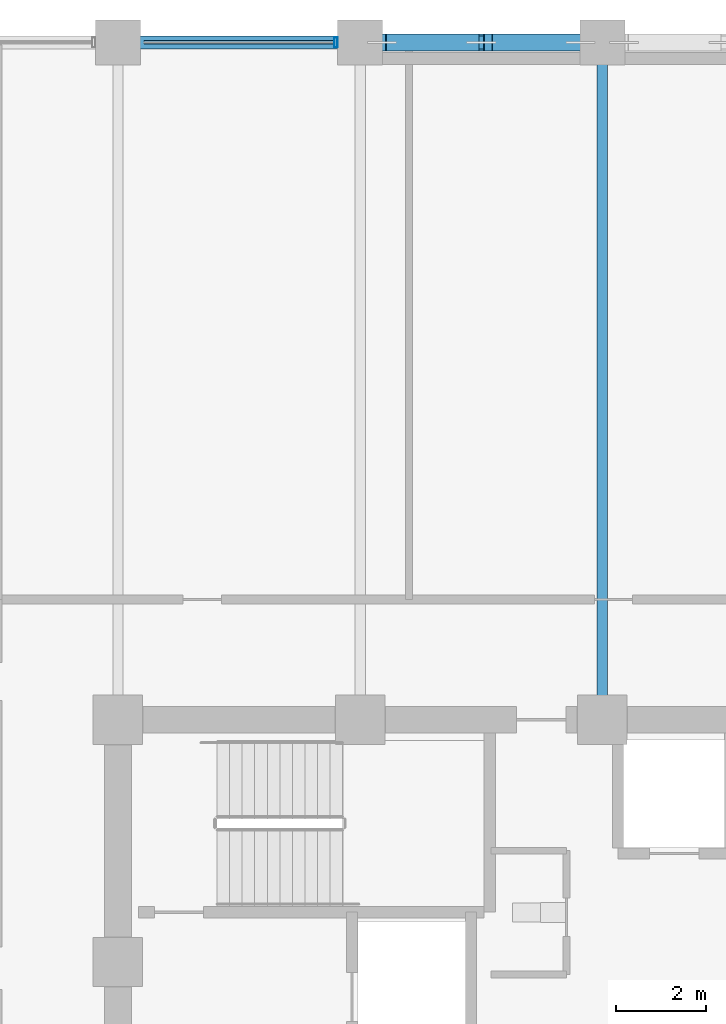
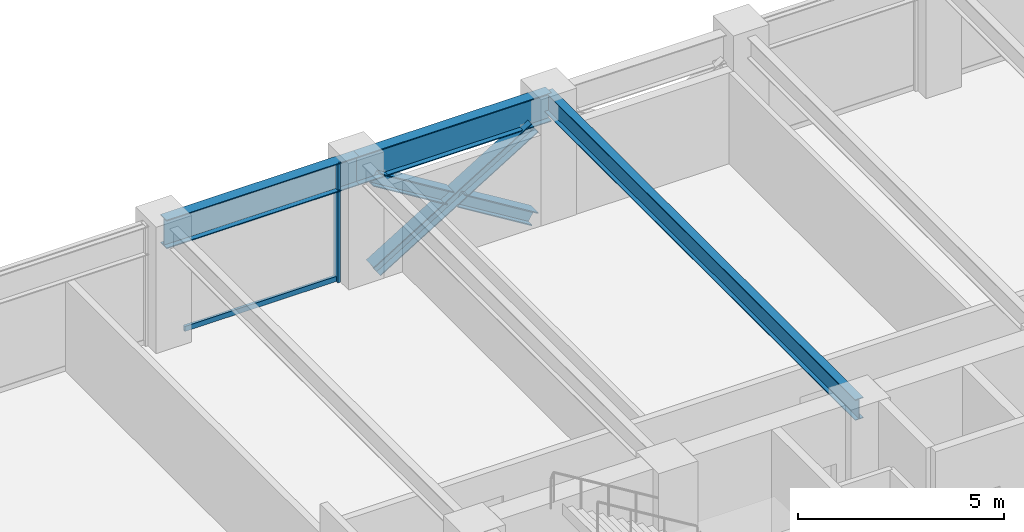
# One storey, part 13 of 23: 5 members, 3 beams, 1 element without a shape of its own.
"""IFC4 building model written with IfcOpenShell, lengths in metres."""

from ifc_helpers import new_model, si_unit, direction, frame, origin, origin_2d, place, context, subcontext, project, spatial, hollow_rectangle, i_section, extrude, material, layer, layer_set, material_profile, profile_set, type_object, element, aggregate, save


model = new_model("IFC4")

# Units and contexts
model_context = context("Model", 3, precision=1e-05, world=origin(), true_north=direction((0.0, 1.0)))
body_context = subcontext(model_context, "Body", "Model", "MODEL_VIEW")
ifc_project = project(units=[si_unit("LENGTHUNIT", "METRE"), si_unit("AREAUNIT", "SQUARE_METRE"), si_unit("VOLUMEUNIT", "CUBIC_METRE"), si_unit("PLANEANGLEUNIT", "RADIAN"), si_unit("MASSUNIT", "GRAM", prefix="KILO")], contexts=[model_context])

# Site, building, storey
site_placement = place(None, origin())
site = spatial("IfcSite", under=ifc_project, at=site_placement, CompositionType="ELEMENT")
building_placement = place(site_placement, origin())
building = spatial("IfcBuilding", under=site, at=building_placement, Name="Surkhivell Harbour Commons", CompositionType="ELEMENT")
storey_placement = place(building_placement, frame((0.0, 0.0, 128.25)))
storey = spatial("IfcBuildingStorey", under=building, at=storey_placement, Name="L33", CompositionType="ELEMENT", Elevation=128.25)

# Beams
ifc_material_1 = material(Name="Steel S355", Category="steel")
ifc_material_profile_1 = material_profile(ifc_material_1, i_section(OverallWidth=0.22998046875, OverallDepth=0.616943359375, WebThickness=0.01318359375, FlangeThickness=0.022216796875, at=origin_2d()), Name="UB610x229x140")
ifc_profile_set_1 = profile_set([ifc_material_profile_1], Name="Steel S355")
beam_type_1 = type_object("IfcBeamType", Name="BM-GRD-610B", PredefinedType="BEAM", material=ifc_profile_set_1)
beam_1_placement = place(storey_placement, frame((0.0, 10.800048828125, 3.261474609375), z_axis=(0.0, 1.0, 0.0), x_axis=(-1.0, 0.0, 0.0)))
element("IfcBeam", 1, at=beam_1_placement, inside=storey, type_object=beam_type_1, Name="L33 Floor Girder (0.0,10.8)", PredefinedType="BEAM", context=body_context, shape_type="SweptSolid", body=[
    extrude(i_section(OverallWidth=0.22998046875, OverallDepth=0.616943359375, WebThickness=0.01318359375, FlangeThickness=0.022216796875, at=origin_2d()), origin(), (0.0, 0.0, 1.0), 15.099853515625),
])
ifc_material_2 = material(Name="Steel S460", Category="steel")
ifc_material_profile_2 = material_profile(ifc_material_2, i_section(OverallWidth=0.2939453125, OverallDepth=0.85107421875, WebThickness=0.01611328125, FlangeThickness=0.02685546875, at=origin_2d()), Name="UB838x292x226")
ifc_profile_set_2 = profile_set([ifc_material_profile_2], Name="Steel S460")
beam_type_2 = type_object("IfcBeamType", Name="BM-SPN-838", PredefinedType="SPANDREL", material=ifc_profile_set_2)
beam_2_placement = place(storey_placement, frame((-10.800048828125, 25.89990234375, 3.14453125), z_axis=(1.0, 0.0, 0.0), x_axis=(0.0, 1.0, 0.0)))
element("IfcBeam", 2, at=beam_2_placement, inside=storey, type_object=beam_type_2, Name="L33 Tube Spandrel (-10.8,25.9)", PredefinedType="SPANDREL", context=body_context, shape_type="SweptSolid", body=[
    extrude(i_section(OverallWidth=0.2939453125, OverallDepth=0.85107421875, WebThickness=0.01611328125, FlangeThickness=0.02685546875, at=origin_2d()), origin(), (0.0, 0.0, 1.0), 5.400146484375),
])
beam_3_placement = place(storey_placement, frame((-5.39990234375, 25.89990234375, 3.14453125), z_axis=(1.0, 0.0, 0.0), x_axis=(0.0, 1.0, 0.0)))
element("IfcBeam", 3, at=beam_3_placement, inside=storey, type_object=beam_type_2, Name="L33 Tube Spandrel (-5.4,25.9)", PredefinedType="SPANDREL", context=body_context, shape_type="SweptSolid", body=[
    extrude(i_section(OverallWidth=0.2939453125, OverallDepth=0.85107421875, WebThickness=0.01611328125, FlangeThickness=0.02685546875, at=origin_2d()), origin(), (0.0, 0.0, 1.0), 5.39990234375),
])

# Curtain wall, members
ifc_material_3 = material(Name="Anodised pale-metal aluminium and insulated glazing", Category="aluminium")
ifc_layer = layer(ifc_material_3, 0.205078125)
ifc_layer_set = layer_set([ifc_layer], Name="Anodised pale-metal aluminium and insulated glazing")
curtain_wall_type = type_object("IfcCurtainWallType", Name="CW-SYS-Z2", PredefinedType="NOTDEFINED", material=ifc_layer_set)
curtain_wall_placement = place(storey_placement, origin())
curtain_wall = element("IfcCurtainWall", 4, at=curtain_wall_placement, inside=storey, type_object=curtain_wall_type, Name="L33 Curtain Wall CW-L33-E07S2", PredefinedType="NOTDEFINED")
ifc_material_4 = material(Name="Anodised pale-metal aluminium alloy 6063-T6", Category="aluminium")
ifc_material_profile_3 = material_profile(ifc_material_4, hollow_rectangle(XDim=0.074951171875, YDim=0.219970703125, WallThickness=0.00390625, at=origin_2d()), Name="ALU-MULL-75x220")
ifc_profile_set_3 = profile_set([ifc_material_profile_3], Name="Anodised pale-metal aluminium alloy 6063-T6")
member_type_1 = type_object("IfcMemberType", Name="CWM-220", PredefinedType="MULLION", material=ifc_profile_set_3)
member_1_placement = place(storey_placement, frame((-5.939453125, 25.89990234375, 0.0), z_axis=(0.0, 0.0, 1.0), x_axis=(-1.0, 0.0, 0.0)))
member_1 = element("IfcMember", 5, at=member_1_placement, type_object=member_type_1, Name="CW-Z2 mullion 1", PredefinedType="MULLION", context=body_context, shape_type="SweptSolid", body=[
    extrude(hollow_rectangle(XDim=0.074951171875, YDim=0.219970703125, WallThickness=0.00390625, at=origin_2d()), origin(), (0.0, 0.0, 1.0), 3.570068359375),
])
ifc_material_profile_4 = material_profile(ifc_material_4, hollow_rectangle(XDim=0.074951171875, YDim=0.14990234375, WallThickness=0.00341796875, at=origin_2d()), Name="ALU-TRAN-75x150")
ifc_profile_set_4 = profile_set([ifc_material_profile_4], Name="Anodised pale-metal aluminium alloy 6063-T6")
member_type_2 = type_object("IfcMemberType", Name="CWT-150", PredefinedType="USERDEFINED", material=ifc_profile_set_4)
member_2_placement = place(storey_placement, frame((-5.97705078125, 25.89990234375, 0.074951171875), z_axis=(-1.0, 0.0, 0.0), x_axis=(0.0, -1.0, 0.0)))
member_2 = element("IfcMember", 6, at=member_2_placement, type_object=member_type_2, Name="CW-Z2 transom 1.1", ObjectType="TRANSOM", PredefinedType="USERDEFINED", context=body_context, shape_type="SweptSolid", body=[
    extrude(hollow_rectangle(XDim=0.074951171875, YDim=0.14990234375, WallThickness=0.00341796875, at=origin_2d()), origin(), (0.0, 0.0, 1.0), 4.245849609375),
])
aggregate(curtain_wall, [member_1, member_2])

# Members
ifc_material_profile_5 = material_profile(ifc_material_2, i_section(OverallWidth=0.375, OverallDepth=0.375, WebThickness=0.0166015625, FlangeThickness=0.027099609375, at=origin_2d()), Name="UC356x368x202")
ifc_profile_set_5 = profile_set([ifc_material_profile_5], Name="Steel S460")
member_type_3 = type_object("IfcMemberType", Name="MEM-BRC-UC356", PredefinedType="BRACE", material=ifc_profile_set_5)
member_3_placement = place(storey_placement, frame((-4.9150390625, 25.89990234375, 0.008056640625), z_axis=(0.852624888477, 0.0, 0.522523491864), x_axis=(0.0, 1.0, 0.0)))
element("IfcMember", 7, at=member_3_placement, inside=storey, type_object=member_type_3, Name="L33 Perimeter Mega-Brace MB- 01", PredefinedType="BRACE", context=body_context, shape_type="SweptSolid", body=[
    extrude(i_section(OverallWidth=0.375, OverallDepth=0.375, WebThickness=0.0166015625, FlangeThickness=0.027099609375, at=origin_2d()), origin(), (0.0, 0.0, 1.0), 5.195556640625),
])
for number, where, z_axis, x_axis, name in (
    (8, (-0.485107421875, 25.89990234375, 0.008056640625), (-0.852589641581, 0.0, 0.522581001443), (0.0, -1.0, 0.0), "L33 Perimeter Mega-Brace MB- 02"),
    (9, (-2.853515625, 25.89990234375, 1.459716796875), (-0.852662200332, 0.0, 0.522462603567), (0.0, -1.0, 0.0), "L33 Perimeter Mega-Brace MB- 03"),
):
    element("IfcMember", number, at=place(storey_placement, frame(where, z_axis=z_axis, x_axis=x_axis)), inside=storey, type_object=member_type_3, Name=name, PredefinedType="BRACE", context=body_context, shape_type="SweptSolid", body=[
        extrude(i_section(OverallWidth=0.375, OverallDepth=0.375, WebThickness=0.0166015625, FlangeThickness=0.027099609375, at=origin_2d()), origin(), (0.0, 0.0, 1.0), 2.417724609375),
    ])

save(model, "model.ifc")
